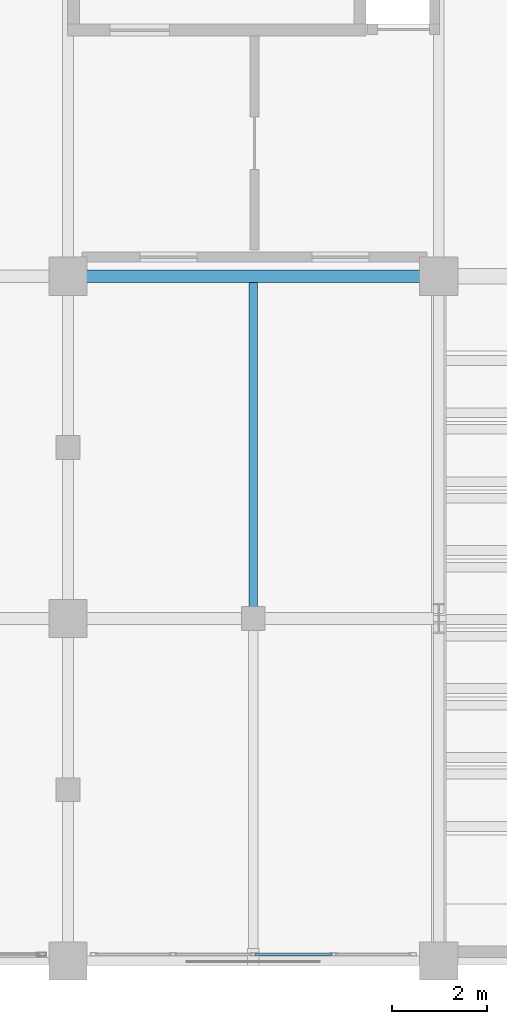
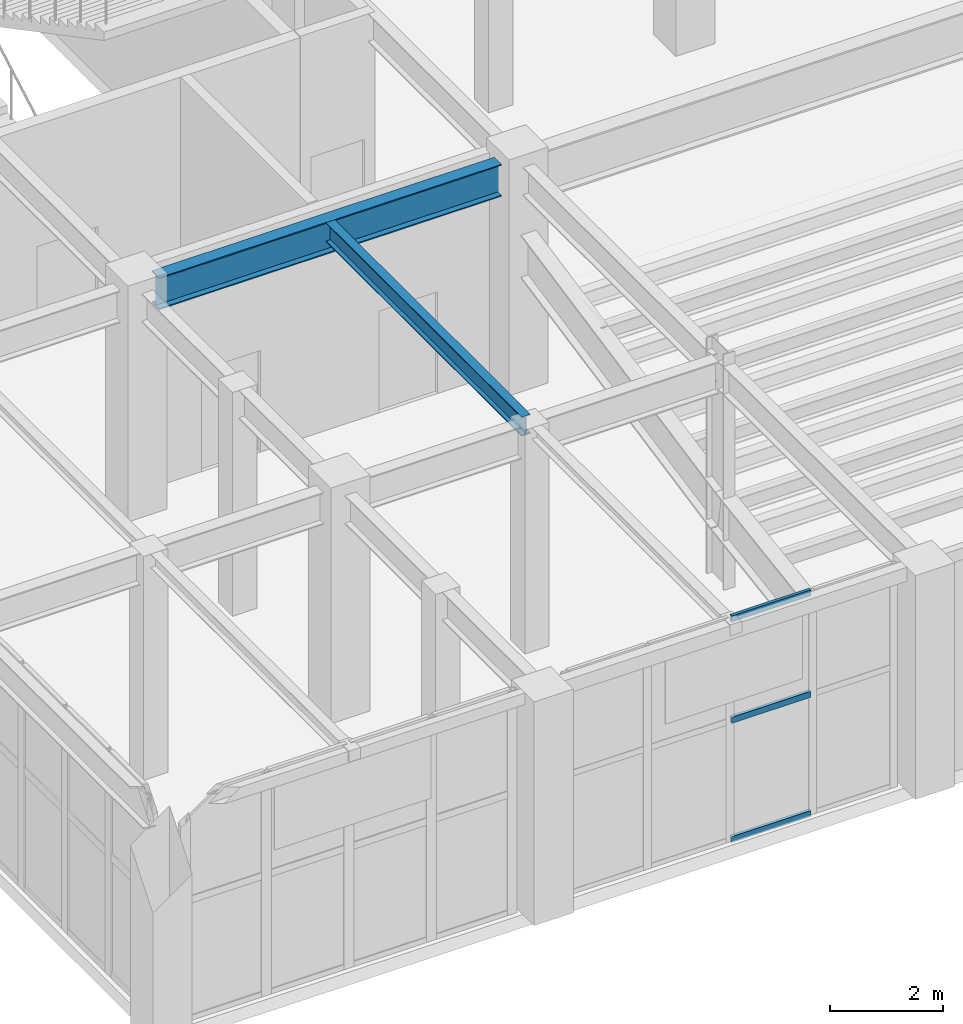
# One storey, part 78 of 128: 3 members, 2 beams, 1 element without a shape of its own.
"""IFC4 building model written with IfcOpenShell, lengths in metres."""

from ifc_helpers import new_model, si_unit, direction, frame, origin, origin_2d, place, context, subcontext, project, spatial, hollow_rectangle, i_section, extrude, material, layer, layer_set, material_profile, profile_set, type_object, element, aggregate, save


model = new_model("IFC4")

# Units and contexts
model_context = context("Model", 3, precision=1e-05, world=origin(), true_north=direction((0.0, 1.0)))
body_context = subcontext(model_context, "Body", "Model", "MODEL_VIEW")
ifc_project = project(units=[si_unit("LENGTHUNIT", "METRE"), si_unit("AREAUNIT", "SQUARE_METRE"), si_unit("VOLUMEUNIT", "CUBIC_METRE"), si_unit("PLANEANGLEUNIT", "RADIAN"), si_unit("MASSUNIT", "GRAM", prefix="KILO")], contexts=[model_context])

# Site, building, storey
site_placement = place(None, origin())
site = spatial("IfcSite", under=ifc_project, at=site_placement, CompositionType="ELEMENT")
building_placement = place(site_placement, origin())
building = spatial("IfcBuilding", under=site, at=building_placement, Name="Xicomal Pleat Aquarium", CompositionType="ELEMENT")
storey_placement = place(building_placement, frame((0.0, 0.0, 5.39990234375)))
storey = spatial("IfcBuildingStorey", under=building, at=storey_placement, Name="L02", CompositionType="ELEMENT", Elevation=5.39990234375)

# Beams
ifc_material_1 = material(Name="Structural steel A992 Gr 50", Category="steel")
ifc_material_profile_1 = material_profile(ifc_material_1, i_section(OverallWidth=0.180908203125, OverallDepth=0.4169921875, WebThickness=0.010986328125, FlangeThickness=0.018310546875, at=origin_2d()), Name="IR 410x85")
ifc_profile_set_1 = profile_set([ifc_material_profile_1], Name="Structural steel A992 Gr 50")
beam_type_1 = type_object("IfcBeamType", Name="BM-STL-IR410", PredefinedType="JOIST", material=ifc_profile_set_1)
beam_1_placement = place(storey_placement, frame((145.5, 8.131103515625, 4.631591796875), z_axis=(0.0, 1.0, 0.0), x_axis=(-1.0, 0.0, 0.0)))
element("IfcBeam", 1, at=beam_1_placement, inside=storey, type_object=beam_type_1, Name="L02 framing beam FBJ-L02-18-B-1", PredefinedType="JOIST", context=body_context, shape_type="SweptSolid", body=[
    extrude(i_section(OverallWidth=0.180908203125, OverallDepth=0.4169921875, WebThickness=0.010986328125, FlangeThickness=0.018310546875, at=origin_2d()), origin(), (0.0, 0.0, 1.0), 6.93798828125),
])
ifc_material_2 = material(Name="Structural steel A992 Gr 50", Category="steel")
ifc_material_profile_2 = material_profile(ifc_material_2, i_section(OverallWidth=0.256103515625, OverallDepth=0.693115234375, WebThickness=0.014404296875, FlangeThickness=0.023681640625, at=origin_2d()), Name="IR 690x170")
ifc_profile_set_2 = profile_set([ifc_material_profile_2], Name="Structural steel A992 Gr 50")
beam_type_2 = type_object("IfcBeamType", Name="BM-STL-IR690", PredefinedType="BEAM", material=ifc_profile_set_2)
beam_2_placement = place(storey_placement, frame((141.9951171875, 15.199951171875, 4.49365234375), z_axis=(1.0, 0.0, 0.0), x_axis=(0.0, 1.0, 0.0)))
element("IfcBeam", 2, at=beam_2_placement, inside=storey, type_object=beam_type_2, Name="L02 framing beam FGX-L02-18-19-C", PredefinedType="BEAM", context=body_context, shape_type="SweptSolid", body=[
    extrude(i_section(OverallWidth=0.256103515625, OverallDepth=0.693115234375, WebThickness=0.014404296875, FlangeThickness=0.023681640625, at=origin_2d()), origin(), (0.0, 0.0, 1.0), 7.009765625),
])

# Curtain wall, members
ifc_material_3 = material(Name="Bronze anodized aluminium 6063-T6", Category="aluminium")
ifc_layer = layer(ifc_material_3, 0.159912109375)
ifc_layer_set = layer_set([ifc_layer], Name="Bronze anodized aluminium 6063-T6")
curtain_wall_type = type_object("IfcCurtainWallType", Name="CW-SYS-02", PredefinedType="NOTDEFINED", material=ifc_layer_set)
curtain_wall_placement = place(storey_placement, origin())
curtain_wall = element("IfcCurtainWall", 3, at=curtain_wall_placement, inside=storey, type_object=curtain_wall_type, Name="L02 unitised curtain wall CW-L02-075", PredefinedType="NOTDEFINED")
ifc_material_4 = material(Name="Bronze anodized aluminium 6063-T6", Category="aluminium")
ifc_material_profile_3 = material_profile(ifc_material_4, hollow_rectangle(XDim=0.06494140625, YDim=0.1298828125, WallThickness=0.00390625, at=origin_2d()), Name="ALU TRAN 65x130")
ifc_profile_set_3 = profile_set([ifc_material_profile_3], Name="Bronze anodized aluminium 6063-T6")
member_type = type_object("IfcMemberType", Name="CWT-65x130", PredefinedType="USERDEFINED", material=ifc_profile_set_3)
member_1_placement = place(storey_placement, frame((147.157470703125, 0.93994140625, 0.03271484375), z_axis=(-1.0, 0.0, 0.0), x_axis=(0.0, -1.0, 0.0)))
member_1 = element("IfcMember", 4, at=member_1_placement, type_object=member_type, Name="CW-02 transom 2.1", ObjectType="TRANSOM", PredefinedType="USERDEFINED", context=body_context, shape_type="SweptSolid", body=[
    extrude(hollow_rectangle(XDim=0.06494140625, YDim=0.1298828125, WallThickness=0.00390625, at=origin_2d()), origin(), (0.0, 0.0, 1.0), 1.625),
])
member_2_placement = place(storey_placement, frame((147.157470703125, 0.93994140625, 2.614013671875), z_axis=(-1.0, 0.0, 0.0), x_axis=(0.0, -1.0, 0.0)))
member_2 = element("IfcMember", 5, at=member_2_placement, type_object=member_type, Name="CW-02 transom 2.2", ObjectType="TRANSOM", PredefinedType="USERDEFINED", context=body_context, shape_type="SweptSolid", body=[
    extrude(hollow_rectangle(XDim=0.06494140625, YDim=0.1298828125, WallThickness=0.00390625, at=origin_2d()), origin(), (0.0, 0.0, 1.0), 1.625),
])
member_3_placement = place(storey_placement, frame((147.157470703125, 0.93994140625, 4.8076171875), z_axis=(-1.0, 0.0, 0.0), x_axis=(0.0, -1.0, 0.0)))
member_3 = element("IfcMember", 6, at=member_3_placement, type_object=member_type, Name="CW-02 transom 2.3", ObjectType="TRANSOM", PredefinedType="USERDEFINED", context=body_context, shape_type="SweptSolid", body=[
    extrude(hollow_rectangle(XDim=0.06494140625, YDim=0.1298828125, WallThickness=0.00390625, at=origin_2d()), origin(), (0.0, 0.0, 1.0), 1.625),
])
aggregate(curtain_wall, [member_1, member_2, member_3])

save(model, "model.ifc")
